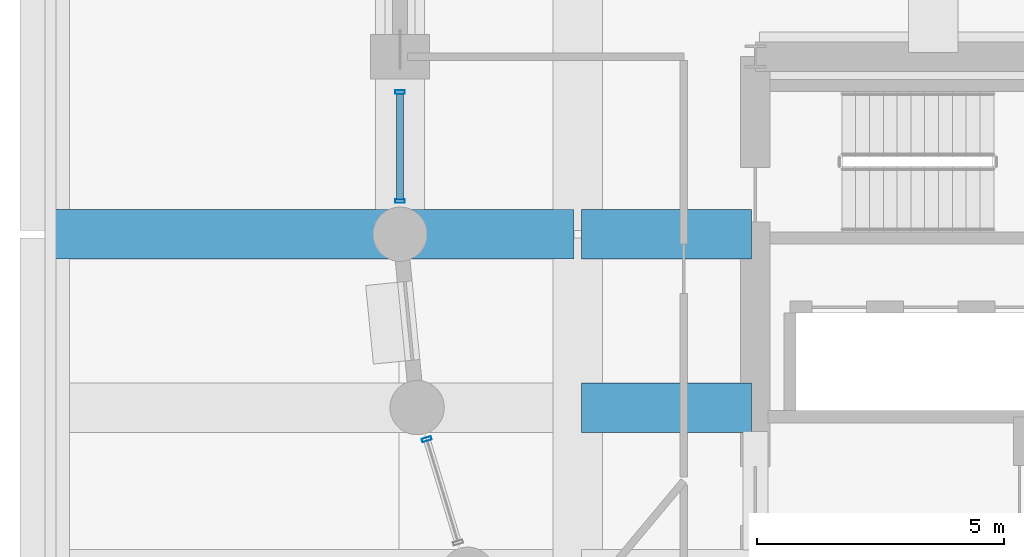
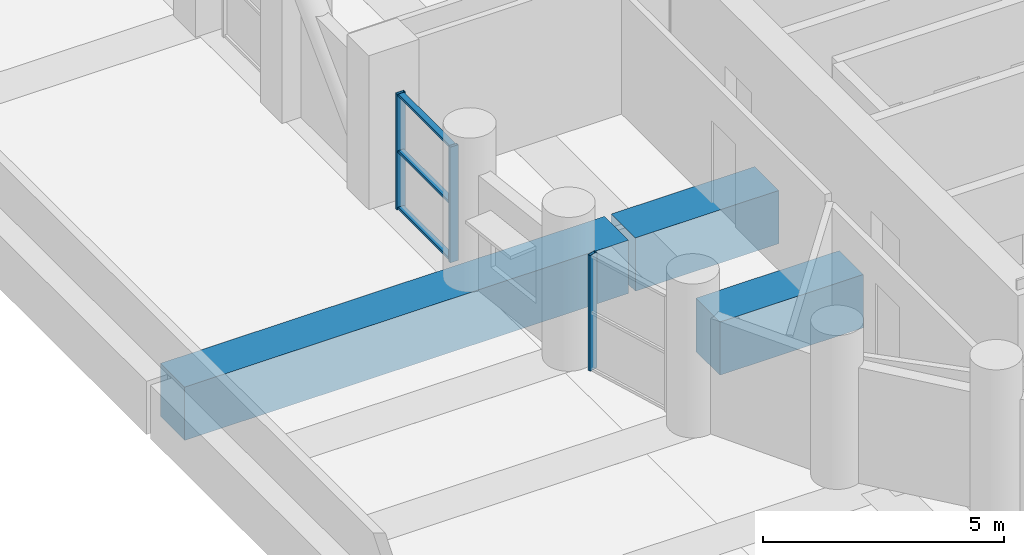
# One storey, part 7 of 39: 6 members, 3 beams, 2 elements without a shape of their own.
"""IFC4 building model written with IfcOpenShell, lengths in metres."""

from ifc_helpers import new_model, si_unit, direction, frame, origin, origin_2d, place, context, subcontext, project, spatial, rectangle, hollow_rectangle, extrude, material, layer, layer_set, material_profile, profile_set, type_object, element, aggregate, save


model = new_model("IFC4")

# Units and contexts
model_context = context("Model", 3, precision=1e-05, world=origin(), true_north=direction((0.0, 1.0)))
body_context = subcontext(model_context, "Body", "Model", "MODEL_VIEW")
ifc_project = project(units=[si_unit("LENGTHUNIT", "METRE"), si_unit("AREAUNIT", "SQUARE_METRE"), si_unit("VOLUMEUNIT", "CUBIC_METRE"), si_unit("PLANEANGLEUNIT", "RADIAN"), si_unit("MASSUNIT", "GRAM", prefix="KILO")], contexts=[model_context])

# Site, building, storey
site_placement = place(None, origin())
site = spatial("IfcSite", under=ifc_project, at=site_placement, CompositionType="ELEMENT")
building_placement = place(site_placement, origin())
building = spatial("IfcBuilding", under=site, at=building_placement, Name="Solnavia Interchange Tower", CompositionType="ELEMENT")
storey_placement = place(building_placement, frame((0.0, 0.0, 24.0)))
storey = spatial("IfcBuildingStorey", under=building, at=storey_placement, Name="L05", CompositionType="ELEMENT", Elevation=24.0)

# Beams
ifc_material_1 = material(Name="Concrete C60/75", Category="concrete")
ifc_material_profile_1 = material_profile(ifc_material_1, rectangle(XDim=1.0, YDim=1.35009765625, at=origin_2d()), Name="RC 1000x1350")
ifc_profile_set_1 = profile_set([ifc_material_profile_1], Name="Concrete C60/75")
beam_type = type_object("IfcBeamType", Name="Beam-Transfer-RC1000x1350", PredefinedType="BEAM", material=ifc_profile_set_1)
beam_placement = place(storey_placement, frame((0.080078125, 21.60009765625, -0.675048828125), z_axis=(1.0, 0.0, 0.0), x_axis=(0.0, 1.0, 0.0)))
element("IfcBeam", 1, at=beam_placement, inside=storey, type_object=beam_type, Name="TRB-L05-13 West-mid primary transfer girder", PredefinedType="BEAM", context=body_context, shape_type="SweptSolid", body=[
    extrude(rectangle(XDim=1.0, YDim=1.35009765625, at=origin_2d()), origin(), (0.0, 0.0, 1.0), 10.639892578125),
])
for number, where, z_axis, x_axis, name in (
    (2, (10.8798828125, 21.60009765625, -0.675048828125), (1.0, 0.0, 0.0), (0.0, 1.0, 0.0), "TRB-L05-14 West-mid primary transfer girder"),
    (3, (10.8798828125, 18.087890625, -0.675048828125), (1.0, 0.0, 0.0), (0.0, 1.0, 0.0), "TRB-L05-75 Drum west transfer girder"),
):
    element("IfcBeam", number, at=place(storey_placement, frame(where, z_axis=z_axis, x_axis=x_axis)), inside=storey, type_object=beam_type, Name=name, PredefinedType="BEAM", context=body_context, shape_type="SweptSolid", body=[
        extrude(rectangle(XDim=1.0, YDim=1.35009765625, at=origin_2d()), origin(), (0.0, 0.0, 1.0), 3.440185546875),
    ])

# Curtain wall, members
ifc_material_2 = material(Name="Aluminium Alloy 6063-T6", Category="aluminium")
ifc_layer = layer(ifc_material_2, 0.219970703125)
ifc_layer_set = layer_set([ifc_layer], Name="Aluminium Alloy 6063-T6")
curtain_wall_type = type_object("IfcCurtainWallType", Name="CurtainWall-Tower-CTW3", PredefinedType="NOTDEFINED", material=ifc_layer_set)
curtain_wall_1_placement = place(storey_placement, origin())
curtain_wall_1 = element("IfcCurtainWall", 4, at=curtain_wall_1_placement, inside=storey, type_object=curtain_wall_type, Name="CTW-L05-S56 CTW-3 curtain wall", PredefinedType="NOTDEFINED")
ifc_material_profile_2 = material_profile(ifc_material_2, hollow_rectangle(XDim=0.070068359375, YDim=0.199951171875, WallThickness=0.0048828125, at=origin_2d()), Name="ALU 200x70x5")
ifc_profile_set_2 = profile_set([ifc_material_profile_2], Name="Aluminium Alloy 6063-T6")
member_type_1 = type_object("IfcMemberType", Name="CW-Mullion-CWM-3", PredefinedType="MULLION", material=ifc_profile_set_2)
member_1_placement = place(storey_placement, frame((7.199951171875, 24.47998046875, 0.0), z_axis=(0.0, 0.0, 1.0), x_axis=(0.0, -1.0, 0.0)))
member_1 = element("IfcMember", 5, at=member_1_placement, type_object=member_type_1, Name="CTW-3 mullion 1", PredefinedType="MULLION", context=body_context, shape_type="SweptSolid", body=[
    extrude(hollow_rectangle(XDim=0.070068359375, YDim=0.199951171875, WallThickness=0.0048828125, at=origin_2d()), origin(), (0.0, 0.0, 1.0), 2.929931640625),
])
member_2_placement = place(storey_placement, frame((7.199951171875, 22.27001953125, 0.0), z_axis=(0.0, 0.0, 1.0), x_axis=(0.0, -1.0, 0.0)))
member_2 = element("IfcMember", 6, at=member_2_placement, type_object=member_type_1, Name="CTW-3 mullion 2", PredefinedType="MULLION", context=body_context, shape_type="SweptSolid", body=[
    extrude(hollow_rectangle(XDim=0.070068359375, YDim=0.199951171875, WallThickness=0.0048828125, at=origin_2d()), origin(), (0.0, 0.0, 1.0), 2.929931640625),
])

# Curtain wall, member
curtain_wall_2_placement = place(storey_placement, origin())
curtain_wall_2 = element("IfcCurtainWall", 7, at=curtain_wall_2_placement, inside=storey, type_object=curtain_wall_type, Name="CTW-L05-S58 CTW-3 curtain wall", PredefinedType="NOTDEFINED")
member_3_placement = place(storey_placement, frame((7.740478515625, 17.44677734375, 0.0), z_axis=(0.0, 0.0, 1.0), x_axis=(0.29028027886, -0.95694166996, 0.0)))
member_3 = element("IfcMember", 8, at=member_3_placement, type_object=member_type_1, Name="CTW-3 mullion 1", PredefinedType="MULLION", context=body_context, shape_type="SweptSolid", body=[
    extrude(hollow_rectangle(XDim=0.070068359375, YDim=0.199951171875, WallThickness=0.0048828125, at=origin_2d()), origin(), (0.0, 0.0, 1.0), 2.929931640625),
])
aggregate(curtain_wall_2, [member_3])

# Member
ifc_material_profile_3 = material_profile(ifc_material_2, hollow_rectangle(XDim=0.06494140625, YDim=0.139892578125, WallThickness=0.00390625, at=origin_2d()), Name="ALU 140x65x4")
ifc_profile_set_3 = profile_set([ifc_material_profile_3], Name="Aluminium Alloy 6063-T6")
member_type_2 = type_object("IfcMemberType", Name="CW-Transom-CWT-3", PredefinedType="USERDEFINED", material=ifc_profile_set_3)
member_4_placement = place(storey_placement, frame((7.199951171875, 24.445068359375, 0.032470703125), z_axis=(0.0, -1.0, 0.0), x_axis=(0.0, 0.0, 1.0)))
member_4 = element("IfcMember", 9, at=member_4_placement, type_object=member_type_2, Name="CTW-3 transom 1.1", ObjectType="TRANSOM", PredefinedType="USERDEFINED", context=body_context, shape_type="SweptSolid", body=[
    extrude(hollow_rectangle(XDim=0.06494140625, YDim=0.139892578125, WallThickness=0.00390625, at=origin_2d()), origin(), (0.0, 0.0, 1.0), 2.14013671875),
])

member_5_placement = place(storey_placement, frame((7.199951171875, 24.445068359375, 1.465087890625), z_axis=(0.0, -1.0, 0.0), x_axis=(0.0, 0.0, 1.0)))
member_5 = element("IfcMember", 10, at=member_5_placement, type_object=member_type_2, Name="CTW-3 transom 1.2", ObjectType="TRANSOM", PredefinedType="USERDEFINED", context=body_context, shape_type="SweptSolid", body=[
    extrude(hollow_rectangle(XDim=0.06494140625, YDim=0.139892578125, WallThickness=0.00390625, at=origin_2d()), origin(), (0.0, 0.0, 1.0), 2.14013671875),
])

member_6_placement = place(storey_placement, frame((7.199951171875, 24.445068359375, 2.8974609375), z_axis=(0.0, -1.0, 0.0), x_axis=(0.0, 0.0, 1.0)))
member_6 = element("IfcMember", 11, at=member_6_placement, type_object=member_type_2, Name="CTW-3 transom 1.3", ObjectType="TRANSOM", PredefinedType="USERDEFINED", context=body_context, shape_type="SweptSolid", body=[
    extrude(hollow_rectangle(XDim=0.06494140625, YDim=0.139892578125, WallThickness=0.00390625, at=origin_2d()), origin(), (0.0, 0.0, 1.0), 2.14013671875),
])

aggregate(curtain_wall_1, [member_1, member_2, member_4, member_5, member_6])

save(model, "model.ifc")
